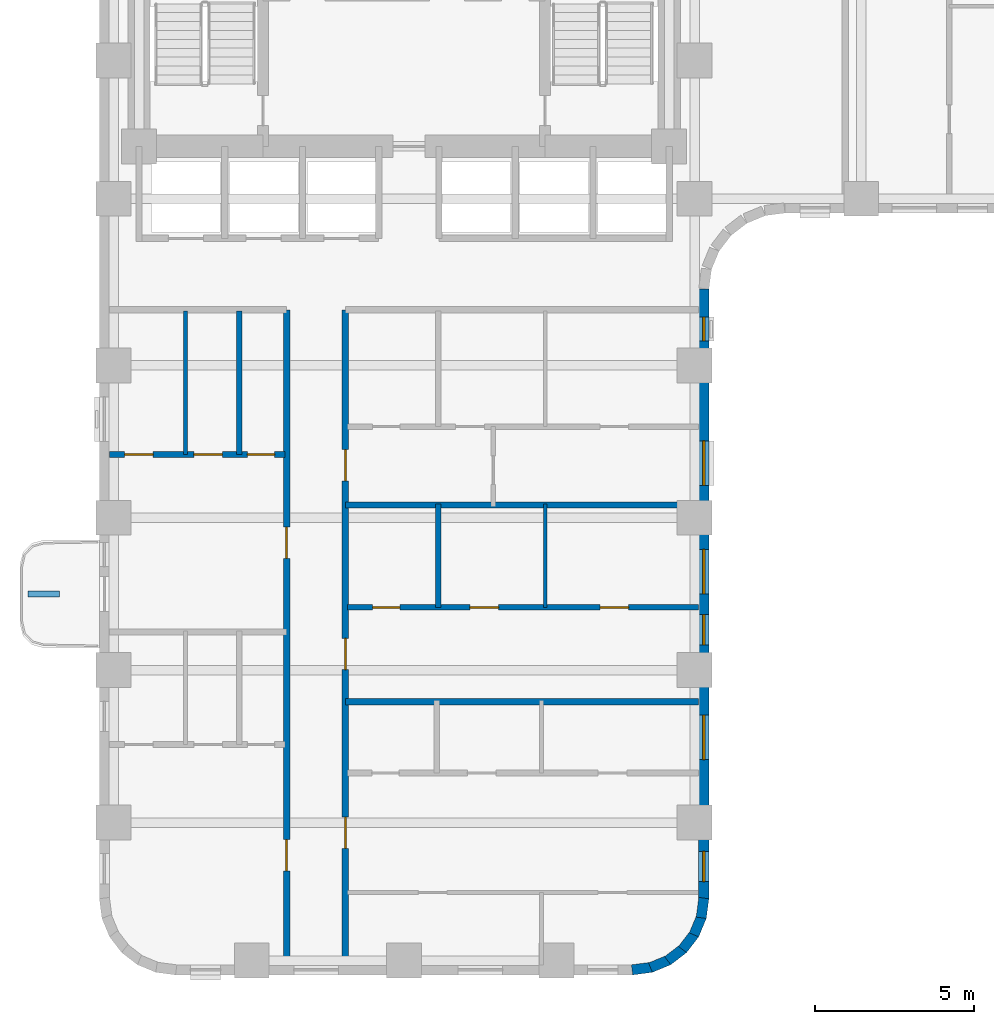
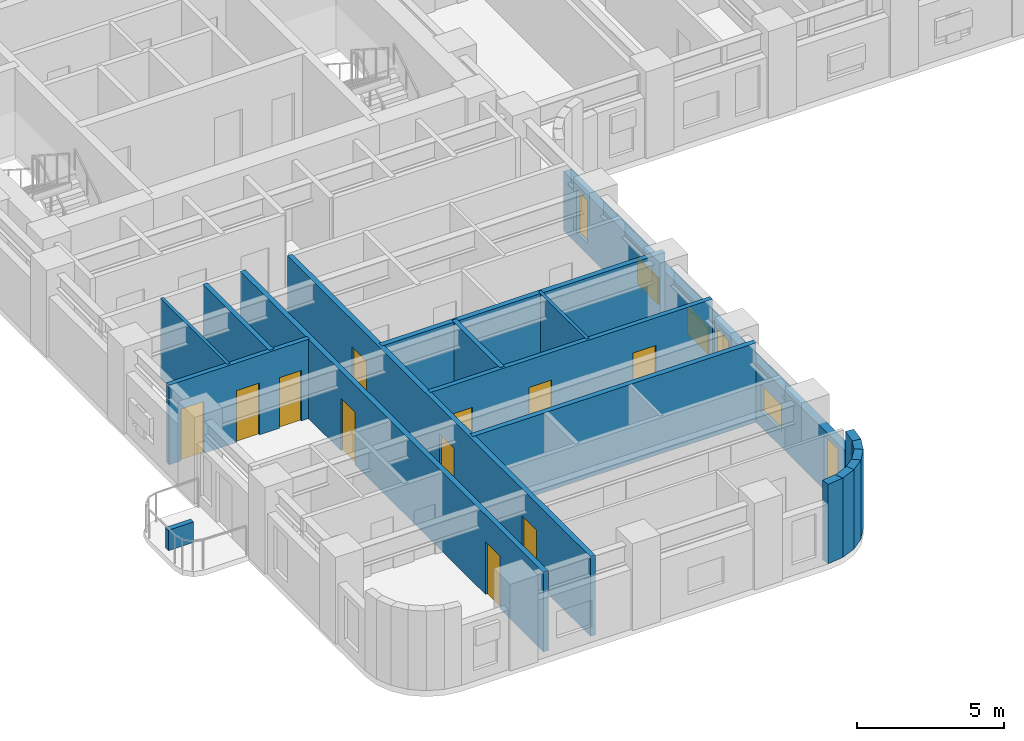
# One storey, part 3 of 11: 18 walls, 11 doors, 6 windows, 17 openings.
"""IFC4 building model written with IfcOpenShell, lengths in metres."""

from ifc_helpers import new_model, si_unit, direction, frame, frame_2d, origin, place, context, subcontext, project, spatial, rectangle, extrude, material, layer, layer_set, type_object, element, fill, save


model = new_model("IFC4")

# Units and contexts
model_context = context("Model", 3, precision=1e-05, world=origin(), true_north=direction((0.0, 1.0)))
body_context = subcontext(model_context, "Body", "Model", "MODEL_VIEW")
ifc_project = project(units=[si_unit("LENGTHUNIT", "METRE"), si_unit("AREAUNIT", "SQUARE_METRE"), si_unit("VOLUMEUNIT", "CUBIC_METRE"), si_unit("PLANEANGLEUNIT", "RADIAN"), si_unit("MASSUNIT", "GRAM", prefix="KILO")], contexts=[model_context])

# Site, building, storey
site_placement = place(None, origin())
site = spatial("IfcSite", under=ifc_project, at=site_placement, CompositionType="ELEMENT")
building_placement = place(site_placement, origin())
building = spatial("IfcBuilding", under=site, at=building_placement, Name="Orvandelia Arch Residences", CompositionType="ELEMENT")
storey_placement = place(building_placement, frame((0.0, 0.0, 93.39990234375)))
storey = spatial("IfcBuildingStorey", under=building, at=storey_placement, Name="L24", CompositionType="ELEMENT", Elevation=93.39990234375)

# Wall, openings, doors
ifc_material_1 = material(Name="Fire-Rated Corridor Partition")
ifc_layer_1 = layer(ifc_material_1, 0.199951171875, Name="Fire-Rated Corridor Partition")
ifc_layer_set_1 = layer_set([ifc_layer_1], Name="Fire-Rated Corridor Partition")
wall_type_1 = type_object("IfcWallType", Name="WL-CORR-200", PredefinedType="PARTITIONING", material=ifc_layer_set_1)
wall_1_placement = place(storey_placement, frame((10.699951171875, 5.1201171875, 0.0), z_axis=(0.0, 0.0, 1.0), x_axis=(0.0, 1.0, 0.0)))
wall_1 = element("IfcWall", 1, at=wall_1_placement, inside=storey, type_object=wall_type_1, Name="Interior Partition Wall WL-L24-WC-W", PredefinedType="PARTITIONING", context=body_context, shape_type="SweptSolid", body=[
    extrude(rectangle(XDim=20.6298828125, YDim=0.199951171875, at=frame_2d((10.31494140625, 0.0))), origin(), (0.0, 0.0, 1.0), 3.300048828125),
])
opening_1_placement = place(wall_1_placement, frame((2.9599609375, 0.0, 0.0)))
opening_1 = element("IfcOpeningElement", 2, at=opening_1_placement, cuts=wall_1, Name="Opening D1", PredefinedType="OPENING", context=body_context, shape_type="SweptSolid", body=[
    extrude(rectangle(XDim=0.97998046875, YDim=2.179931640625, at=frame_2d((0.489990234375, 1.08984375))), frame((0.0, 0.10986328125, 0.0), z_axis=(0.0, -1.0, 0.0), x_axis=(1.0, 0.0, 0.0)), (0.0, 0.0, 1.0), 0.219970703125),
])
opening_2_placement = place(wall_1_placement, frame((12.804931640625, 0.0, 0.0)))
opening_2 = element("IfcOpeningElement", 3, at=opening_2_placement, cuts=wall_1, Name="Opening D1", PredefinedType="OPENING", context=body_context, shape_type="SweptSolid", body=[
    extrude(rectangle(XDim=0.97998046875, YDim=2.179931640625, at=frame_2d((0.489990234375, 1.08984375))), frame((0.0, 0.10986328125, 0.0), z_axis=(0.0, -1.0, 0.0), x_axis=(1.0, 0.0, 0.0)), (0.0, 0.0, 1.0), 0.219970703125),
])
ifc_material_2 = material(Name="Solid-Core Timber Acoustic Fire Door", Category="wood")
door_type_1 = type_object("IfcDoorType", Name="DR-ENT-980", OperationType="NOTDEFINED", PredefinedType="DOOR", material=ifc_material_2)
door_1_placement = place(opening_1_placement, origin())
door_1 = element("IfcDoor", 4, at=door_1_placement, inside=storey, type_object=door_type_1, Name="Unit L24-01 Entrance Door", OperationType="SINGLE_SWING_LEFT", OverallHeight=2.179931640625, OverallWidth=0.97998046875, PredefinedType="DOOR", context=body_context, shape_type="SweptSolid", body=[
    extrude(rectangle(XDim=0.97998046875, YDim=2.179931640625, at=frame_2d((0.489990234375, 1.08984375))), frame((0.0, 0.02490234375, 0.0), z_axis=(0.0, -1.0, 0.0), x_axis=(1.0, 0.0, 0.0)), (0.0, 0.0, 1.0), 0.050048828125),
])
fill(opening_1, door_1)
door_2_placement = place(opening_2_placement, origin())
door_2 = element("IfcDoor", 5, at=door_2_placement, inside=storey, type_object=door_type_1, Name="Unit L24-02 Entrance Door", OperationType="SINGLE_SWING_RIGHT", OverallHeight=2.179931640625, OverallWidth=0.97998046875, PredefinedType="DOOR", context=body_context, shape_type="SweptSolid", body=[
    extrude(rectangle(XDim=0.97998046875, YDim=2.179931640625, at=frame_2d((0.489990234375, 1.08984375))), frame((0.0, 0.02490234375, 0.0), z_axis=(0.0, -1.0, 0.0), x_axis=(1.0, 0.0, 0.0)), (0.0, 0.0, 1.0), 0.050048828125),
])
fill(opening_2, door_2)

wall_2_placement = place(storey_placement, frame((12.550048828125, 5.1201171875, 0.0), z_axis=(0.0, 0.0, 1.0), x_axis=(0.0, 1.0, 0.0)))
wall_2 = element("IfcWall", 6, at=wall_2_placement, inside=storey, type_object=wall_type_1, Name="Interior Partition Wall WL-L24-WC-E", PredefinedType="PARTITIONING", context=body_context, shape_type="SweptSolid", body=[
    extrude(rectangle(XDim=20.6298828125, YDim=0.199951171875, at=frame_2d((10.31494140625, 0.0))), origin(), (0.0, 0.0, 1.0), 3.300048828125),
])
opening_3_placement = place(wall_2_placement, frame((3.6689453125, 0.0, 0.0)))
opening_3 = element("IfcOpeningElement", 7, at=opening_3_placement, cuts=wall_2, Name="Opening D1", PredefinedType="OPENING", context=body_context, shape_type="SweptSolid", body=[
    extrude(rectangle(XDim=0.97998046875, YDim=2.179931640625, at=frame_2d((0.489990234375, 1.08984375))), frame((0.0, 0.10986328125, 0.0), z_axis=(0.0, -1.0, 0.0), x_axis=(1.0, 0.0, 0.0)), (0.0, 0.0, 1.0), 0.219970703125),
])
opening_4_placement = place(wall_2_placement, frame((9.299072265625, 0.0, 0.0)))
opening_4 = element("IfcOpeningElement", 8, at=opening_4_placement, cuts=wall_2, Name="Opening D1", PredefinedType="OPENING", context=body_context, shape_type="SweptSolid", body=[
    extrude(rectangle(XDim=0.97998046875, YDim=2.179931640625, at=frame_2d((0.489990234375, 1.08984375))), frame((0.0, 0.10986328125, 0.0), z_axis=(0.0, -1.0, 0.0), x_axis=(1.0, 0.0, 0.0)), (0.0, 0.0, 1.0), 0.219970703125),
])
opening_5_placement = place(wall_2_placement, frame((15.2451171875, 0.0, 0.0)))
opening_5 = element("IfcOpeningElement", 9, at=opening_5_placement, cuts=wall_2, Name="Opening D1", PredefinedType="OPENING", context=body_context, shape_type="SweptSolid", body=[
    extrude(rectangle(XDim=0.97998046875, YDim=2.179931640625, at=frame_2d((0.489990234375, 1.08984375))), frame((0.0, 0.10986328125, 0.0), z_axis=(0.0, -1.0, 0.0), x_axis=(1.0, 0.0, 0.0)), (0.0, 0.0, 1.0), 0.219970703125),
])
door_3_placement = place(opening_3_placement, origin())
door_3 = element("IfcDoor", 10, at=door_3_placement, inside=storey, type_object=door_type_1, Name="Unit L24-03 Entrance Door", OperationType="SINGLE_SWING_LEFT", OverallHeight=2.179931640625, OverallWidth=0.97998046875, PredefinedType="DOOR", context=body_context, shape_type="SweptSolid", body=[
    extrude(rectangle(XDim=0.97998046875, YDim=2.179931640625, at=frame_2d((0.489990234375, 1.08984375))), frame((0.0, 0.02490234375, 0.0), z_axis=(0.0, -1.0, 0.0), x_axis=(1.0, 0.0, 0.0)), (0.0, 0.0, 1.0), 0.050048828125),
])
fill(opening_3, door_3)
door_4_placement = place(opening_4_placement, origin())
door_4 = element("IfcDoor", 11, at=door_4_placement, inside=storey, type_object=door_type_1, Name="Unit L24-04 Entrance Door", OperationType="SINGLE_SWING_RIGHT", OverallHeight=2.179931640625, OverallWidth=0.97998046875, PredefinedType="DOOR", context=body_context, shape_type="SweptSolid", body=[
    extrude(rectangle(XDim=0.97998046875, YDim=2.179931640625, at=frame_2d((0.489990234375, 1.08984375))), frame((0.0, 0.02490234375, 0.0), z_axis=(0.0, -1.0, 0.0), x_axis=(1.0, 0.0, 0.0)), (0.0, 0.0, 1.0), 0.050048828125),
])
fill(opening_4, door_4)
door_5_placement = place(opening_5_placement, origin())
door_5 = element("IfcDoor", 12, at=door_5_placement, inside=storey, type_object=door_type_1, Name="Unit L24-05 Entrance Door", OperationType="SINGLE_SWING_LEFT", OverallHeight=2.179931640625, OverallWidth=0.97998046875, PredefinedType="DOOR", context=body_context, shape_type="SweptSolid", body=[
    extrude(rectangle(XDim=0.97998046875, YDim=2.179931640625, at=frame_2d((0.489990234375, 1.08984375))), frame((0.0, 0.02490234375, 0.0), z_axis=(0.0, -1.0, 0.0), x_axis=(1.0, 0.0, 0.0)), (0.0, 0.0, 1.0), 0.050048828125),
])
fill(opening_5, door_5)

# Walls
ifc_material_3 = material(Name="Concrete C40/50", Category="concrete")
ifc_layer_2 = layer(ifc_material_3, 0.199951171875, Name="Concrete C40/50", Category="concrete")
ifc_layer_set_2 = layer_set([ifc_layer_2], Name="Concrete C40/50")
wall_type_2 = type_object("IfcWallType", Name="WL-DEM-200", PredefinedType="SOLIDWALL", material=ifc_layer_set_2)
for number, where, z_axis, x_axis, name in (
    (13, (12.550048828125, 13.39990234375, 0.0), (0.0, 0.0, 1.0), (1.0, 0.0, 0.0), "Interior Partition Wall WL-L24-DEM-WR-134"),
    (14, (12.550048828125, 19.60009765625, 0.0), (0.0, 0.0, 1.0), (1.0, 0.0, 0.0), "Interior Partition Wall WL-L24-DEM-WR-196"),
):
    element("IfcWall", number, at=place(storey_placement, frame(where, z_axis=z_axis, x_axis=x_axis)), inside=storey, type_object=wall_type_2, Name=name, PredefinedType="SOLIDWALL", context=body_context, shape_type="SweptSolid", body=[
        extrude(rectangle(XDim=11.1298828125, YDim=0.199951171875, at=frame_2d((5.56494140625, 0.0))), origin(), (0.0, 0.0, 1.0), 3.300048828125),
    ])

# Wall, openings, windows
ifc_material_4 = material(Name="Precast concrete C40/50", Category="concrete")
ifc_layer_3 = layer(ifc_material_4, 0.320068359375, Name="Precast concrete C40/50", Category="concrete")
ifc_layer_set_3 = layer_set([ifc_layer_3], Name="Precast concrete C40/50")
wall_type_3 = type_object("IfcWallType", Name="WL-EXT-STONE-320", PredefinedType="STANDARD", material=ifc_layer_set_3)
wall_3_placement = place(storey_placement, frame((23.840087890625, 26.39990234375, 0.0), z_axis=(0.0, 0.0, 1.0), x_axis=(0.0, -1.0, 0.0)))
wall_3 = element("IfcWall", 15, at=wall_3_placement, inside=storey, type_object=wall_type_3, Name="Coral-Limestone Precast Facade Wall L24-028", PredefinedType="STANDARD", context=body_context, shape_type="SweptSolid", body=[
    extrude(rectangle(XDim=19.199951171875, YDim=0.320068359375, at=frame_2d((9.60009765625, 0.0))), origin(), (0.0, 0.0, 1.0), 2.47998046875),
])
opening_6_placement = place(wall_3_placement, frame((13.419921875, 0.0, 0.64990234375)))
opening_6 = element("IfcOpeningElement", 16, at=opening_6_placement, cuts=wall_3, Name="Opening W10", PredefinedType="OPENING", context=body_context, shape_type="SweptSolid", body=[
    extrude(rectangle(XDim=1.39990234375, YDim=1.10009765625, at=frame_2d((0.699951171875, 0.550048828125))), frame((0.0, 0.169921875, 0.0), z_axis=(0.0, -1.0, 0.0), x_axis=(1.0, 0.0, 0.0)), (0.0, 0.0, 1.0), 0.340087890625),
])
opening_7_placement = place(wall_3_placement, frame((8.196044921875, 0.0, 0.64990234375)))
opening_7 = element("IfcOpeningElement", 17, at=opening_7_placement, cuts=wall_3, Name="Opening W10", PredefinedType="OPENING", context=body_context, shape_type="SweptSolid", body=[
    extrude(rectangle(XDim=1.39990234375, YDim=1.10009765625, at=frame_2d((0.699951171875, 0.550048828125))), frame((0.0, 0.169921875, 0.0), z_axis=(0.0, -1.0, 0.0), x_axis=(1.0, 0.0, 0.0)), (0.0, 0.0, 1.0), 0.340087890625),
])
opening_8_placement = place(wall_3_placement, frame((0.8798828125, 0.0, 0.449951171875)))
opening_8 = element("IfcOpeningElement", 18, at=opening_8_placement, cuts=wall_3, Name="Opening W11", PredefinedType="OPENING", context=body_context, shape_type="SweptSolid", body=[
    extrude(rectangle(XDim=0.75, YDim=1.800048828125, at=frame_2d((0.375, 0.89990234375))), frame((0.0, 0.169921875, 0.0), z_axis=(0.0, -1.0, 0.0), x_axis=(1.0, 0.0, 0.0)), (0.0, 0.0, 1.0), 0.340087890625),
])
opening_9_placement = place(wall_3_placement, frame((17.7109375, 0.0, 0.449951171875)))
opening_9 = element("IfcOpeningElement", 19, at=opening_9_placement, cuts=wall_3, Name="Opening W4", PredefinedType="OPENING", context=body_context, shape_type="SweptSolid", body=[
    extrude(rectangle(XDim=0.949951171875, YDim=1.800048828125, at=frame_2d((0.47509765625, 0.89990234375))), frame((0.0, 0.169921875, 0.0), z_axis=(0.0, -1.0, 0.0), x_axis=(1.0, 0.0, 0.0)), (0.0, 0.0, 1.0), 0.340087890625),
])
opening_10_placement = place(wall_3_placement, frame((10.2509765625, 0.0, 0.449951171875)))
opening_10 = element("IfcOpeningElement", 20, at=opening_10_placement, cuts=wall_3, Name="Opening W4", PredefinedType="OPENING", context=body_context, shape_type="SweptSolid", body=[
    extrude(rectangle(XDim=0.949951171875, YDim=1.800048828125, at=frame_2d((0.47509765625, 0.89990234375))), frame((0.0, 0.169921875, 0.0), z_axis=(0.0, -1.0, 0.0), x_axis=(1.0, 0.0, 0.0)), (0.0, 0.0, 1.0), 0.340087890625),
])
opening_11_placement = place(wall_3_placement, frame((4.780029296875, 0.0, 0.64990234375)))
opening_11 = element("IfcOpeningElement", 21, at=opening_11_placement, cuts=wall_3, Name="Opening W10", PredefinedType="OPENING", context=body_context, shape_type="SweptSolid", body=[
    extrude(rectangle(XDim=1.39990234375, YDim=1.10009765625, at=frame_2d((0.699951171875, 0.550048828125))), frame((0.0, 0.169921875, 0.0), z_axis=(0.0, -1.0, 0.0), x_axis=(1.0, 0.0, 0.0)), (0.0, 0.0, 1.0), 0.340087890625),
])
ifc_material_5 = material(Name="Tempered Low-E Insulated Glazing", Category="glass")
window_type_1 = type_object("IfcWindowType", Name="WIN-BED-0750x1800", PartitioningType="SINGLE_PANEL", PredefinedType="WINDOW", material=ifc_material_5)
window_1_placement = place(opening_8_placement, origin())
window_1 = element("IfcWindow", 22, at=window_1_placement, inside=storey, type_object=window_type_1, Name="Recessed Punched Window L24-018", OverallHeight=1.800048828125, OverallWidth=0.75, PartitioningType="SINGLE_PANEL", PredefinedType="WINDOW", context=body_context, shape_type="SweptSolid", body=[
    extrude(rectangle(XDim=0.75, YDim=1.800048828125, at=frame_2d((0.375, 0.89990234375))), frame((0.0, 0.030029296875, 0.0), z_axis=(0.0, -1.0, 0.0), x_axis=(1.0, 0.0, 0.0)), (0.0, 0.0, 1.0), 0.06005859375),
])
fill(opening_8, window_1)
window_type_2 = type_object("IfcWindowType", Name="WIN-CLR-1400x1100", PartitioningType="SINGLE_PANEL", PredefinedType="WINDOW", material=ifc_material_5)
window_2_placement = place(opening_6_placement, origin())
window_2 = element("IfcWindow", 23, at=window_2_placement, inside=storey, type_object=window_type_2, Name="Recessed Punched Window L24-016", OverallHeight=1.10009765625, OverallWidth=1.39990234375, PartitioningType="SINGLE_PANEL", PredefinedType="WINDOW", context=body_context, shape_type="SweptSolid", body=[
    extrude(rectangle(XDim=1.39990234375, YDim=1.10009765625, at=frame_2d((0.699951171875, 0.550048828125))), frame((0.0, 0.030029296875, 0.0), z_axis=(0.0, -1.0, 0.0), x_axis=(1.0, 0.0, 0.0)), (0.0, 0.0, 1.0), 0.06005859375),
])
fill(opening_6, window_2)
window_3_placement = place(opening_7_placement, origin())
window_3 = element("IfcWindow", 24, at=window_3_placement, inside=storey, type_object=window_type_2, Name="Recessed Punched Window L24-017", OverallHeight=1.10009765625, OverallWidth=1.39990234375, PartitioningType="SINGLE_PANEL", PredefinedType="WINDOW", context=body_context, shape_type="SweptSolid", body=[
    extrude(rectangle(XDim=1.39990234375, YDim=1.10009765625, at=frame_2d((0.699951171875, 0.550048828125))), frame((0.0, 0.030029296875, 0.0), z_axis=(0.0, -1.0, 0.0), x_axis=(1.0, 0.0, 0.0)), (0.0, 0.0, 1.0), 0.06005859375),
])
fill(opening_7, window_3)
window_4_placement = place(opening_11_placement, origin())
window_4 = element("IfcWindow", 25, at=window_4_placement, inside=storey, type_object=window_type_2, Name="Recessed Punched Window L24-021", OverallHeight=1.10009765625, OverallWidth=1.39990234375, PartitioningType="SINGLE_PANEL", PredefinedType="WINDOW", context=body_context, shape_type="SweptSolid", body=[
    extrude(rectangle(XDim=1.39990234375, YDim=1.10009765625, at=frame_2d((0.699951171875, 0.550048828125))), frame((0.0, 0.030029296875, 0.0), z_axis=(0.0, -1.0, 0.0), x_axis=(1.0, 0.0, 0.0)), (0.0, 0.0, 1.0), 0.06005859375),
])
fill(opening_11, window_4)
window_type_3 = type_object("IfcWindowType", Name="WIN-RES-0950x1800", PartitioningType="SINGLE_PANEL", PredefinedType="WINDOW", material=ifc_material_5)
window_5_placement = place(opening_9_placement, origin())
window_5 = element("IfcWindow", 26, at=window_5_placement, inside=storey, type_object=window_type_3, Name="Recessed Punched Window L24-019", OverallHeight=1.800048828125, OverallWidth=0.949951171875, PartitioningType="SINGLE_PANEL", PredefinedType="WINDOW", context=body_context, shape_type="SweptSolid", body=[
    extrude(rectangle(XDim=0.949951171875, YDim=1.800048828125, at=frame_2d((0.47509765625, 0.89990234375))), frame((0.0, 0.030029296875, 0.0), z_axis=(0.0, -1.0, 0.0), x_axis=(1.0, 0.0, 0.0)), (0.0, 0.0, 1.0), 0.06005859375),
])
fill(opening_9, window_5)
window_6_placement = place(opening_10_placement, origin())
window_6 = element("IfcWindow", 27, at=window_6_placement, inside=storey, type_object=window_type_3, Name="Recessed Punched Window L24-020", OverallHeight=1.800048828125, OverallWidth=0.949951171875, PartitioningType="SINGLE_PANEL", PredefinedType="WINDOW", context=body_context, shape_type="SweptSolid", body=[
    extrude(rectangle(XDim=0.949951171875, YDim=1.800048828125, at=frame_2d((0.47509765625, 0.89990234375))), frame((0.0, 0.030029296875, 0.0), z_axis=(0.0, -1.0, 0.0), x_axis=(1.0, 0.0, 0.0)), (0.0, 0.0, 1.0), 0.06005859375),
])
fill(opening_10, window_6)

# Walls
wall_4_placement = place(storey_placement, frame((23.84130859375, 7.220947265625, 0.0), z_axis=(0.0, 0.0, 1.0), x_axis=(-0.130504898859, -0.991447664465, 0.0)))
element("IfcWall", 28, at=wall_4_placement, inside=storey, type_object=wall_type_3, Name="Coral-Limestone Precast Facade Wall L24-029", PredefinedType="STANDARD", context=body_context, shape_type="SweptSolid", body=[
    extrude(rectangle(XDim=0.626708984375, YDim=0.320068359375, at=frame_2d((0.3134765625, 0.0))), origin(), (0.0, 0.0, 1.0), 3.300048828125),
])
wall_5_placement = place(storey_placement, frame((23.7705078125, 6.639892578125, 0.0), z_axis=(0.0, 0.0, 1.0), x_axis=(-0.382787856107, -0.923836271867, 0.0)))
element("IfcWall", 29, at=wall_5_placement, inside=storey, type_object=wall_type_3, Name="Coral-Limestone Precast Facade Wall L24-030", PredefinedType="STANDARD", context=body_context, shape_type="SweptSolid", body=[
    extrude(rectangle(XDim=0.626220703125, YDim=0.320068359375, at=frame_2d((0.31298828125, 0.0))), origin(), (0.0, 0.0, 1.0), 3.300048828125),
])
wall_6_placement = place(storey_placement, frame((23.551513671875, 6.097412109375, 0.0), z_axis=(0.0, 0.0, 1.0), x_axis=(-0.608693302629, -0.793405610854, 0.0)))
element("IfcWall", 30, at=wall_6_placement, inside=storey, type_object=wall_type_3, Name="Coral-Limestone Precast Facade Wall L24-031", PredefinedType="STANDARD", context=body_context, shape_type="SweptSolid", body=[
    extrude(rectangle(XDim=0.62646484375, YDim=0.320068359375, at=frame_2d((0.313232421875, 0.0))), origin(), (0.0, 0.0, 1.0), 3.300048828125),
])
wall_7_placement = place(storey_placement, frame((23.19970703125, 5.6298828125, 0.0), z_axis=(0.0, 0.0, 1.0), x_axis=(-0.7932174212, -0.608938521285, 0.0)))
element("IfcWall", 31, at=wall_7_placement, inside=storey, type_object=wall_type_3, Name="Coral-Limestone Precast Facade Wall L24-032", PredefinedType="STANDARD", context=body_context, shape_type="SweptSolid", body=[
    extrude(rectangle(XDim=0.626708984375, YDim=0.320068359375, at=frame_2d((0.3134765625, 0.0))), origin(), (0.0, 0.0, 1.0), 3.300048828125),
])
for number, where, z_axis, x_axis, name in (
    (32, (22.73876953125, 5.269287109375, 0.0), (0.0, 0.0, 1.0), (-0.92389335771, -0.382650053678, 0.0), "Coral-Limestone Precast Facade Wall L24-033"),
    (33, (22.2001953125, 5.040283203125, 0.0), (0.0, 0.0, 1.0), (-0.9914410257, -0.130555323746, 0.0), "Coral-Limestone Precast Facade Wall L24-034"),
):
    element("IfcWall", number, at=place(storey_placement, frame(where, z_axis=z_axis, x_axis=x_axis)), inside=storey, type_object=wall_type_3, Name=name, PredefinedType="STANDARD", context=body_context, shape_type="SweptSolid", body=[
        extrude(rectangle(XDim=0.62646484375, YDim=0.320068359375, at=frame_2d((0.313232421875, 0.0))), origin(), (0.0, 0.0, 1.0), 3.300048828125),
    ])
ifc_material_6 = material(Name="Lightweight Gypsum Stud Partition")
ifc_layer_4 = layer(ifc_material_6, 0.1201171875, Name="Lightweight Gypsum Stud Partition")
ifc_layer_set_4 = layer_set([ifc_layer_4], Name="Lightweight Gypsum Stud Partition")
wall_type_4 = type_object("IfcWallType", Name="WL-PART-120", PredefinedType="PARTITIONING", material=ifc_layer_set_4)
wall_8_placement = place(storey_placement, frame((7.514892578125, 21.18994140625, 0.0), z_axis=(0.0, 0.0, 1.0), x_axis=(0.0, 1.0, 0.0)))
element("IfcWall", 34, at=wall_8_placement, inside=storey, type_object=wall_type_4, Name="Interior Partition Wall WL-L24-U02-V1", PredefinedType="PARTITIONING", context=body_context, shape_type="SweptSolid", body=[
    extrude(rectangle(XDim=4.530029296875, YDim=0.1201171875, at=frame_2d((2.26513671875, 0.0))), origin(), (0.0, 0.0, 1.0), 3.300048828125),
])
wall_9_placement = place(storey_placement, frame((18.843017578125, 16.3779296875, 0.0), z_axis=(0.0, 0.0, 1.0), x_axis=(0.0, 1.0, 0.0)))
element("IfcWall", 35, at=wall_9_placement, inside=storey, type_object=wall_type_4, Name="Interior Partition Wall WL-L24-U04-V2", PredefinedType="PARTITIONING", context=body_context, shape_type="SweptSolid", body=[
    extrude(rectangle(XDim=3.261962890625, YDim=0.1201171875, at=frame_2d((1.630859375, 0.0))), origin(), (0.0, 0.0, 1.0), 3.300048828125),
])
ifc_layer_5 = layer(ifc_material_4, 0.199951171875, Name="Precast concrete C40/50", Category="concrete")
ifc_layer_set_5 = layer_set([ifc_layer_5], Name="Precast concrete C40/50")
wall_type_5 = type_object("IfcWallType", Name="WL-PLANTER-200", PredefinedType="MOVABLE", material=ifc_layer_set_5)
wall_10_placement = place(storey_placement, frame((2.550048828125, 16.800048828125, 0.0), z_axis=(0.0, 0.0, 1.0), x_axis=(1.0, 0.0, 0.0)))
element("IfcWall", 36, at=wall_10_placement, inside=storey, type_object=wall_type_5, Name="Balcony Precast Tree Planter BAL-L24-W1", PredefinedType="MOVABLE", context=body_context, shape_type="SweptSolid", body=[
    extrude(rectangle(XDim=1.0, YDim=0.199951171875, at=frame_2d((0.5, 0.0))), origin(), (0.0, 0.0, 1.0), 0.85009765625),
])

# Wall, openings, doors
ifc_material_7 = material(Name="Moisture-Resistant Plumbing Wall")
ifc_layer_6 = layer(ifc_material_7, 0.179931640625, Name="Moisture-Resistant Plumbing Wall")
ifc_layer_set_6 = layer_set([ifc_layer_6], Name="Moisture-Resistant Plumbing Wall")
wall_type_6 = type_object("IfcWallType", Name="WL-WET-180", PredefinedType="PLUMBINGWALL", material=ifc_layer_set_6)
wall_11_placement = place(storey_placement, frame((5.1201171875, 21.18994140625, 0.0), z_axis=(0.0, 0.0, 1.0), x_axis=(1.0, 0.0, 0.0)))
wall_11 = element("IfcWall", 37, at=wall_11_placement, inside=storey, type_object=wall_type_6, Name="Interior Partition Wall WL-L24-U02-HZ", PredefinedType="PLUMBINGWALL", context=body_context, shape_type="SweptSolid", body=[
    extrude(rectangle(XDim=5.519775390625, YDim=0.179931640625, at=frame_2d((2.759765625, 0.0))), origin(), (0.0, 0.0, 1.0), 3.300048828125),
])
opening_12_placement = place(wall_11_placement, frame((0.47216796875, 0.0, 0.0)))
opening_12 = element("IfcOpeningElement", 38, at=opening_12_placement, cuts=wall_11, Name="Opening D3", PredefinedType="OPENING", context=body_context, shape_type="SweptSolid", body=[
    extrude(rectangle(XDim=0.89990234375, YDim=2.14990234375, at=frame_2d((0.449951171875, 1.074951171875))), frame((0.0, 0.10009765625, 0.0), z_axis=(0.0, -1.0, 0.0), x_axis=(1.0, 0.0, 0.0)), (0.0, 0.0, 1.0), 0.199951171875),
])
opening_13_placement = place(wall_11_placement, frame((2.655029296875, 0.0, 0.0)))
opening_13 = element("IfcOpeningElement", 39, at=opening_13_placement, cuts=wall_11, Name="Opening D3", PredefinedType="OPENING", context=body_context, shape_type="SweptSolid", body=[
    extrude(rectangle(XDim=0.89990234375, YDim=2.14990234375, at=frame_2d((0.449951171875, 1.074951171875))), frame((0.0, 0.10009765625, 0.0), z_axis=(0.0, -1.0, 0.0), x_axis=(1.0, 0.0, 0.0)), (0.0, 0.0, 1.0), 0.199951171875),
])
opening_14_placement = place(wall_11_placement, frame((4.342041015625, 0.0, 0.0)))
opening_14 = element("IfcOpeningElement", 40, at=opening_14_placement, cuts=wall_11, Name="Opening D4", PredefinedType="OPENING", context=body_context, shape_type="SweptSolid", body=[
    extrude(rectangle(XDim=0.860107421875, YDim=2.10009765625, at=frame_2d((0.43017578125, 1.050048828125))), frame((0.0, 0.10009765625, 0.0), z_axis=(0.0, -1.0, 0.0), x_axis=(1.0, 0.0, 0.0)), (0.0, 0.0, 1.0), 0.199951171875),
])
ifc_material_8 = material(Name="Engineered Timber Flush Door", Category="wood")
door_type_2 = type_object("IfcDoorType", Name="DR-INT-900", OperationType="NOTDEFINED", PredefinedType="DOOR", material=ifc_material_8)
door_6_placement = place(opening_12_placement, origin())
door_6 = element("IfcDoor", 41, at=door_6_placement, inside=storey, type_object=door_type_2, Name="DR-L24-U02-BD1", OperationType="SINGLE_SWING_RIGHT", OverallHeight=2.14990234375, OverallWidth=0.89990234375, PredefinedType="DOOR", context=body_context, shape_type="SweptSolid", body=[
    extrude(rectangle(XDim=0.89990234375, YDim=2.14990234375, at=frame_2d((0.449951171875, 1.074951171875))), frame((0.0, 0.02490234375, 0.0), z_axis=(0.0, -1.0, 0.0), x_axis=(1.0, 0.0, 0.0)), (0.0, 0.0, 1.0), 0.050048828125),
])
fill(opening_12, door_6)
door_7_placement = place(opening_13_placement, origin())
door_7 = element("IfcDoor", 42, at=door_7_placement, inside=storey, type_object=door_type_2, Name="DR-L24-U02-KIT", OperationType="SINGLE_SWING_LEFT", OverallHeight=2.14990234375, OverallWidth=0.89990234375, PredefinedType="DOOR", context=body_context, shape_type="SweptSolid", body=[
    extrude(rectangle(XDim=0.89990234375, YDim=2.14990234375, at=frame_2d((0.449951171875, 1.074951171875))), frame((0.0, 0.02490234375, 0.0), z_axis=(0.0, -1.0, 0.0), x_axis=(1.0, 0.0, 0.0)), (0.0, 0.0, 1.0), 0.050048828125),
])
fill(opening_13, door_7)
ifc_material_9 = material(Name="Moisture-Sealed Timber Bathroom Door", Category="wood")
door_type_3 = type_object("IfcDoorType", Name="DR-WET-900", OperationType="NOTDEFINED", PredefinedType="DOOR", material=ifc_material_9)
door_8_placement = place(opening_14_placement, origin())
door_8 = element("IfcDoor", 43, at=door_8_placement, inside=storey, type_object=door_type_3, Name="DR-L24-U02-BTH", OperationType="SINGLE_SWING_RIGHT", OverallHeight=2.10009765625, OverallWidth=0.860107421875, PredefinedType="DOOR", context=body_context, shape_type="SweptSolid", body=[
    extrude(rectangle(XDim=0.860107421875, YDim=2.10009765625, at=frame_2d((0.43017578125, 1.050048828125))), frame((0.0, 0.02490234375, 0.0), z_axis=(0.0, -1.0, 0.0), x_axis=(1.0, 0.0, 0.0)), (0.0, 0.0, 1.0), 0.050048828125),
])
fill(opening_14, door_8)

# Wall
wall_12_placement = place(storey_placement, frame((9.201904296875, 21.18994140625, 0.0), z_axis=(0.0, 0.0, 1.0), x_axis=(0.0, 1.0, 0.0)))
element("IfcWall", 44, at=wall_12_placement, inside=storey, type_object=wall_type_6, Name="Interior Partition Wall WL-L24-U02-V2", PredefinedType="PLUMBINGWALL", context=body_context, shape_type="SweptSolid", body=[
    extrude(rectangle(XDim=4.530029296875, YDim=0.179931640625, at=frame_2d((2.26513671875, 0.0))), origin(), (0.0, 0.0, 1.0), 3.300048828125),
])

# Wall, openings, doors
wall_13_placement = place(storey_placement, frame((12.610107421875, 16.3779296875, 0.0), z_axis=(0.0, 0.0, 1.0), x_axis=(1.0, 0.0, 0.0)))
wall_13 = element("IfcWall", 45, at=wall_13_placement, inside=storey, type_object=wall_type_6, Name="Interior Partition Wall WL-L24-U04-HZ", PredefinedType="PLUMBINGWALL", context=body_context, shape_type="SweptSolid", body=[
    extrude(rectangle(XDim=11.06982421875, YDim=0.179931640625, at=frame_2d((5.534912109375, 0.0))), origin(), (0.0, 0.0, 1.0), 3.300048828125),
])
opening_15_placement = place(wall_13_placement, frame((0.795166015625, 0.0, 0.0)))
opening_15 = element("IfcOpeningElement", 46, at=opening_15_placement, cuts=wall_13, Name="Opening D4", PredefinedType="OPENING", context=body_context, shape_type="SweptSolid", body=[
    extrude(rectangle(XDim=0.860107421875, YDim=2.10009765625, at=frame_2d((0.43017578125, 1.050048828125))), frame((0.0, 0.10009765625, 0.0), z_axis=(0.0, -1.0, 0.0), x_axis=(1.0, 0.0, 0.0)), (0.0, 0.0, 1.0), 0.199951171875),
])
opening_16_placement = place(wall_13_placement, frame((3.8642578125, 0.0, 0.0)))
opening_16 = element("IfcOpeningElement", 47, at=opening_16_placement, cuts=wall_13, Name="Opening D3", PredefinedType="OPENING", context=body_context, shape_type="SweptSolid", body=[
    extrude(rectangle(XDim=0.89990234375, YDim=2.14990234375, at=frame_2d((0.449951171875, 1.074951171875))), frame((0.0, 0.10009765625, 0.0), z_axis=(0.0, -1.0, 0.0), x_axis=(1.0, 0.0, 0.0)), (0.0, 0.0, 1.0), 0.199951171875),
])
opening_17_placement = place(wall_13_placement, frame((7.964111328125, 0.0, 0.0)))
opening_17 = element("IfcOpeningElement", 48, at=opening_17_placement, cuts=wall_13, Name="Opening D3", PredefinedType="OPENING", context=body_context, shape_type="SweptSolid", body=[
    extrude(rectangle(XDim=0.89990234375, YDim=2.14990234375, at=frame_2d((0.449951171875, 1.074951171875))), frame((0.0, 0.10009765625, 0.0), z_axis=(0.0, -1.0, 0.0), x_axis=(1.0, 0.0, 0.0)), (0.0, 0.0, 1.0), 0.199951171875),
])
door_9_placement = place(opening_16_placement, origin())
door_9 = element("IfcDoor", 49, at=door_9_placement, inside=storey, type_object=door_type_2, Name="DR-L24-U04-KIT", OperationType="SINGLE_SWING_RIGHT", OverallHeight=2.14990234375, OverallWidth=0.89990234375, PredefinedType="DOOR", context=body_context, shape_type="SweptSolid", body=[
    extrude(rectangle(XDim=0.89990234375, YDim=2.14990234375, at=frame_2d((0.449951171875, 1.074951171875))), frame((0.0, 0.02490234375, 0.0), z_axis=(0.0, -1.0, 0.0), x_axis=(1.0, 0.0, 0.0)), (0.0, 0.0, 1.0), 0.050048828125),
])
fill(opening_16, door_9)
door_10_placement = place(opening_17_placement, origin())
door_10 = element("IfcDoor", 50, at=door_10_placement, inside=storey, type_object=door_type_2, Name="DR-L24-U04-BD1", OperationType="SINGLE_SWING_LEFT", OverallHeight=2.14990234375, OverallWidth=0.89990234375, PredefinedType="DOOR", context=body_context, shape_type="SweptSolid", body=[
    extrude(rectangle(XDim=0.89990234375, YDim=2.14990234375, at=frame_2d((0.449951171875, 1.074951171875))), frame((0.0, 0.02490234375, 0.0), z_axis=(0.0, -1.0, 0.0), x_axis=(1.0, 0.0, 0.0)), (0.0, 0.0, 1.0), 0.050048828125),
])
fill(opening_17, door_10)
door_11_placement = place(opening_15_placement, origin())
door_11 = element("IfcDoor", 51, at=door_11_placement, inside=storey, type_object=door_type_3, Name="DR-L24-U04-BTH", OperationType="SINGLE_SWING_LEFT", OverallHeight=2.10009765625, OverallWidth=0.860107421875, PredefinedType="DOOR", context=body_context, shape_type="SweptSolid", body=[
    extrude(rectangle(XDim=0.860107421875, YDim=2.10009765625, at=frame_2d((0.43017578125, 1.050048828125))), frame((0.0, 0.02490234375, 0.0), z_axis=(0.0, -1.0, 0.0), x_axis=(1.0, 0.0, 0.0)), (0.0, 0.0, 1.0), 0.050048828125),
])
fill(opening_15, door_11)

# Wall
wall_14_placement = place(storey_placement, frame((15.47705078125, 16.3779296875, 0.0), z_axis=(0.0, 0.0, 1.0), x_axis=(0.0, 1.0, 0.0)))
element("IfcWall", 52, at=wall_14_placement, inside=storey, type_object=wall_type_6, Name="Interior Partition Wall WL-L24-U04-V1", PredefinedType="PLUMBINGWALL", context=body_context, shape_type="SweptSolid", body=[
    extrude(rectangle(XDim=3.261962890625, YDim=0.179931640625, at=frame_2d((1.630859375, 0.0))), origin(), (0.0, 0.0, 1.0), 3.300048828125),
])

save(model, "model.ifc")
